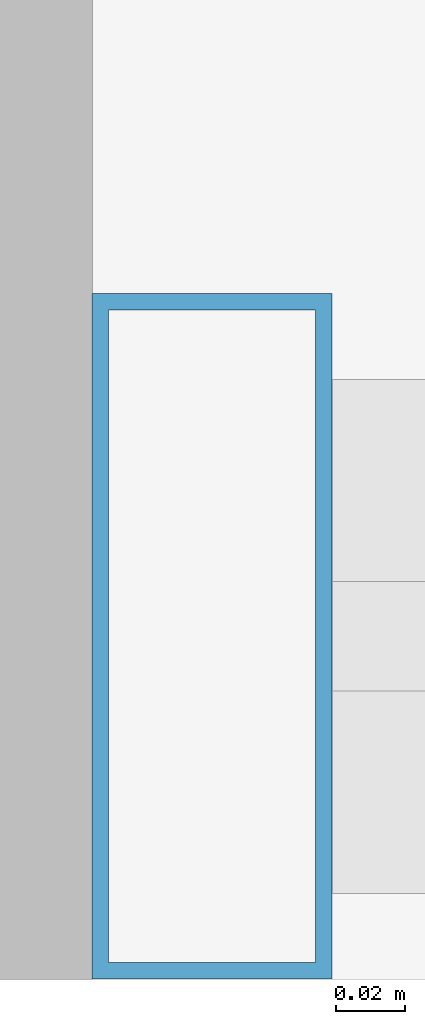
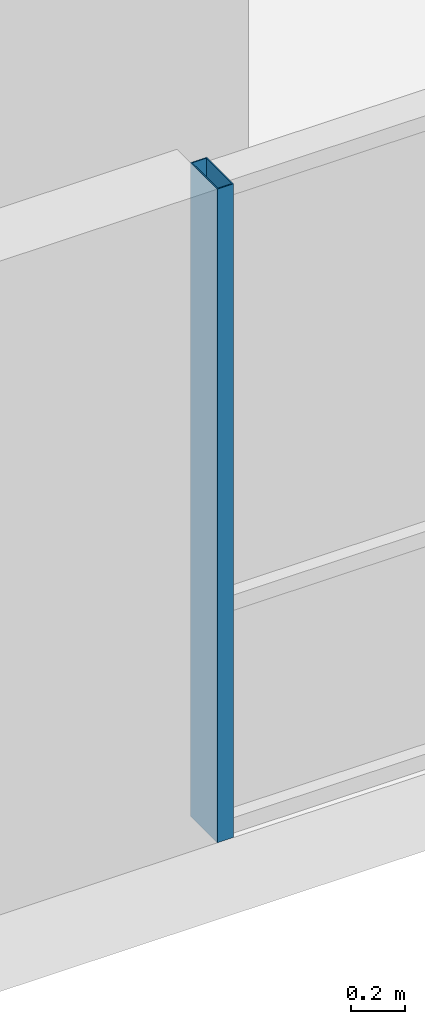
# One storey, part 2 of 28: 1 member, 1 element without a shape of its own.
"""IFC4 building model written with IfcOpenShell, lengths in metres."""

import ifcopenshell
import ifcopenshell.guid

model = None  # the IFC model being written
_history = None  # IfcOwnerHistory: only IFC2X3 demands one
_inside = {}  # id of a spatial element -> (the spatial element, [elements in it])
_under = {}  # id of a project, library or spatial element -> (it, [spatial elements below it])
_declared = {}  # id of a project -> (the project, [libraries it declares])
_typed = {}  # id of a type object -> (the type object, [elements of that type])
_made_of = {}  # id of a material, layer set ... -> (it, [elements and type objects made of it])


def new_model(schema):
    """Start an empty IFC model of exactly this schema.

    Asked for "IFC4X3", IfcOpenShell would pick the latest addendum, in which some entities
    have other attributes; the version numbers below select the first issue.
    IFC2X3 requires an IfcOwnerHistory on every rooted entity: one is made here for all.
    """
    global model, _history
    if schema == "IFC4X3":
        model = ifcopenshell.file(schema_version=(4, 3, 0, 0))
    else:
        model = ifcopenshell.file(schema=schema)
    _inside.clear()
    _under.clear()
    _declared.clear()
    _typed.clear()
    _made_of.clear()
    _history = None
    if model.schema == "IFC2X3":
        org = make("IfcOrganization", Name="unknown")
        user = make(
            "IfcPersonAndOrganization",
            ThePerson=make("IfcPerson", FamilyName="unknown"),
            TheOrganization=org,
        )
        app = make(
            "IfcApplication",
            ApplicationDeveloper=org,
            Version="unknown",
            ApplicationFullName="unknown",
            ApplicationIdentifier="unknown",
        )
        _history = make(
            "IfcOwnerHistory",
            OwningUser=user,
            OwningApplication=app,
            ChangeAction="ADDED",
            CreationDate=0,
        )
    return model


def make(cls, **values):
    """One entity of the class cls with the attributes given. An attribute that is None is left unset."""
    return model.create_entity(
        cls, **{name: value for name, value in values.items() if value is not None}
    )


def rooted(cls, **values):
    """An entity with a GlobalId (a new one), such as an element, a storey or a relation."""
    return make(cls, GlobalId=ifcopenshell.guid.new(), OwnerHistory=_history, **values)


def si_unit(unit_type, name, prefix=None):
    """IfcSIUnit, for example si_unit("LENGTHUNIT", "METRE", prefix="MILLI")."""
    return make("IfcSIUnit", UnitType=unit_type, Prefix=prefix, Name=name)


def assignment(units):
    """IfcUnitAssignment: the units of a project."""
    return None if units is None else make("IfcUnitAssignment", Units=units)


def point(xyz):
    """IfcCartesianPoint."""
    return None if xyz is None else make("IfcCartesianPoint", Coordinates=xyz)


def direction(xyz):
    """IfcDirection."""
    return None if xyz is None else make("IfcDirection", DirectionRatios=xyz)


def frame(location, z_axis=None, x_axis=None):
    """IfcAxis2Placement3D, a coordinate frame: its origin and axes. An axis left out is left unset."""
    return make(
        "IfcAxis2Placement3D",
        Location=point(location),
        Axis=direction(z_axis),
        RefDirection=direction(x_axis),
    )


def frame_2d(location, x_axis=None):
    """IfcAxis2Placement2D, a coordinate frame in the plane: its origin and x axis."""
    return make(
        "IfcAxis2Placement2D", Location=point(location), RefDirection=direction(x_axis)
    )


def origin():
    """The frame at (0, 0, 0) with its axes left unset."""
    return frame((0.0, 0.0, 0.0))


def origin_2d():
    """The frame at (0, 0) in the plane with its x axis left unset."""
    return frame_2d((0.0, 0.0))


def place(relative_to, where):
    """IfcLocalPlacement: puts the frame where relative to a parent placement (None: the world)."""
    return make(
        "IfcLocalPlacement", PlacementRelTo=relative_to, RelativePlacement=where
    )


def context(
    kind, dimensions, precision=None, world=None, true_north=None, identifier=None
):
    """IfcGeometricRepresentationContext, for example the 3D "Model" context."""
    return make(
        "IfcGeometricRepresentationContext",
        ContextIdentifier=identifier,
        ContextType=kind,
        CoordinateSpaceDimension=dimensions,
        Precision=precision,
        WorldCoordinateSystem=world,
        TrueNorth=true_north,
    )


def subcontext(parent, identifier, kind, view, scale=None):
    """IfcGeometricRepresentationSubContext, for example "Body" below "Model"."""
    return make(
        "IfcGeometricRepresentationSubContext",
        ContextIdentifier=identifier,
        ContextType=kind,
        ParentContext=parent,
        TargetScale=scale,
        TargetView=view,
    )


def project(units=None, contexts=None):
    """IfcProject with its units and contexts."""
    return rooted(
        "IfcProject",
        Name="project",
        RepresentationContexts=contexts,
        UnitsInContext=assignment(units),
    )


def spatial(cls, under=None, at=None, **own):
    """A site, building, storey or space (cls), placed at a placement, below another one or the project."""
    s = rooted(cls, ObjectPlacement=at, **own)
    if under is not None:
        _under.setdefault(under.id(), (under, []))[1].append(s)
    return s


def profile(cls, at=None, kind="AREA", **sizes):
    """A parametric profile (cls). Its sizes go by their IFC names, for example OverallWidth=200.0."""
    return make(cls, ProfileType=kind, Position=at, **sizes)


def hollow_rectangle(**sizes):
    """IfcRectangleHollowProfileDef."""
    return profile("IfcRectangleHollowProfileDef", **sizes)


def extrude(swept, where, along, depth):
    """IfcExtrudedAreaSolid: the profile swept, set in the frame where, extruded along a direction by depth."""
    return make(
        "IfcExtrudedAreaSolid",
        SweptArea=swept,
        Position=where,
        ExtrudedDirection=direction(along),
        Depth=depth,
    )


def shape(context_of_items, identifier, shape_type, items):
    """IfcShapeRepresentation: the items that make up one representation, for example the "Body"."""
    return make(
        "IfcShapeRepresentation",
        ContextOfItems=context_of_items,
        RepresentationIdentifier=identifier,
        RepresentationType=shape_type,
        Items=items,
    )


def source(mapping_origin, context_of_items, identifier, shape_type, items):
    """IfcRepresentationMap: a shape defined once, which mapped items show again and again."""
    return make(
        "IfcRepresentationMap",
        MappingOrigin=mapping_origin,
        MappedRepresentation=shape(context_of_items, identifier, shape_type, items),
    )


def transform(
    local_origin,
    x_axis=None,
    y_axis=None,
    z_axis=None,
    scale=None,
    scale2=None,
    scale3=None,
    uniform=True,
):
    """IfcCartesianTransformationOperator3D, or its non-uniform kind. x_axis, y_axis, z_axis: its Axis1, 2, 3."""
    if uniform:
        return make(
            "IfcCartesianTransformationOperator3D",
            Axis1=direction(x_axis),
            Axis2=direction(y_axis),
            LocalOrigin=point(local_origin),
            Scale=scale,
            Axis3=direction(z_axis),
        )
    return make(
        "IfcCartesianTransformationOperator3DnonUniform",
        Axis1=direction(x_axis),
        Axis2=direction(y_axis),
        LocalOrigin=point(local_origin),
        Scale=scale,
        Axis3=direction(z_axis),
        Scale2=scale2,
        Scale3=scale3,
    )


def mapped(mapping_source, mapping_target):
    """IfcMappedItem: shows the shape of a source again, moved by a transform."""
    return make(
        "IfcMappedItem", MappingSource=mapping_source, MappingTarget=mapping_target
    )


def material(Name=None, Category=None):
    """IfcMaterial."""
    return make("IfcMaterial", Name=Name, Category=Category)


def layer(
    of_material, thickness, ventilated=None, Name=None, Category=None, Priority=None
):
    """IfcMaterialLayer: one layer of a wall or slab, of a material (None: an air gap)."""
    return make(
        "IfcMaterialLayer",
        Material=of_material,
        LayerThickness=thickness,
        IsVentilated=ventilated,
        Name=Name,
        Category=Category,
        Priority=Priority,
    )


def layer_set(layers, Name=None):
    """IfcMaterialLayerSet."""
    return make("IfcMaterialLayerSet", MaterialLayers=layers, LayerSetName=Name)


def material_profile(
    of_material, cross_section, Name=None, Category=None, Priority=None
):
    """IfcMaterialProfile: a cross section and its material."""
    return make(
        "IfcMaterialProfile",
        Name=Name,
        Material=of_material,
        Profile=cross_section,
        Priority=Priority,
        Category=Category,
    )


def profile_set(profiles, Name=None, composite=None):
    """IfcMaterialProfileSet."""
    return make(
        "IfcMaterialProfileSet",
        Name=Name,
        MaterialProfiles=profiles,
        CompositeProfile=composite,
    )


def made_of(thing, what):
    """Note that an element or type object is made of a material, layer set ...; save() writes the relation."""
    if what is not None:
        _made_of.setdefault(what.id(), (what, []))[1].append(thing)
    return thing


def type_object(cls, material=None, **own):
    """A type object (cls), such as IfcWallType, which elements share."""
    return made_of(rooted(cls, **own), material)


def element(
    cls,
    number,
    at=None,
    inside=None,
    cuts=None,
    type_object=None,
    material=None,
    context=None,
    identifier="Body",
    shape_type=None,
    held_by="IfcProductDefinitionShape",
    body=None,
    shapes=None,
    **own,
):
    """One element of the class cls, such as IfcWall. Its Tag is "e" and its number.

    at: its placement. inside: the storey or other place that contains it. cuts: it is an
    opening in that element (IfcRelVoidsElement). A single representation is given by context,
    identifier, shape_type and body (its items); several are given by shapes. held_by: the class
    of the entity that holds the representations. save() writes the other relations.
    """
    e = rooted(cls, Tag="e%d" % number, ObjectPlacement=at, **own)
    if body is not None:
        shapes = [shape(context, identifier, shape_type, body)]
    if shapes is not None:
        e.Representation = make(held_by, Representations=shapes)
    if inside is not None:
        _inside.setdefault(inside.id(), (inside, []))[1].append(e)
    if cuts is not None:
        rooted(
            "IfcRelVoidsElement", RelatingBuildingElement=cuts, RelatedOpeningElement=e
        )
    if type_object is not None:
        _typed.setdefault(type_object.id(), (type_object, []))[1].append(e)
    return made_of(e, material)


def aggregate(whole, parts):
    """IfcRelAggregates: a whole, such as a stair, and the parts it consists of."""
    return rooted("IfcRelAggregates", RelatingObject=whole, RelatedObjects=parts)


def save(model, path):
    """Write the relations noted so far, then the file.

    IfcRelAggregates (storeys below a building ...), IfcRelContainedInSpatialStructure (elements
    in a storey), IfcRelDefinesByType, IfcRelAssociatesMaterial and IfcRelDeclares: one each for
    every whole, place, type object, material and project.
    """
    for whole, parts in _under.values():
        aggregate(whole, parts)
    for where, things in _inside.values():
        rooted(
            "IfcRelContainedInSpatialStructure",
            RelatedElements=things,
            RelatingStructure=where,
        )
    for kind, things in _typed.values():
        rooted("IfcRelDefinesByType", RelatedObjects=things, RelatingType=kind)
    for what, things in _made_of.values():
        rooted("IfcRelAssociatesMaterial", RelatedObjects=things, RelatingMaterial=what)
    for by, libraries in _declared.values():
        rooted("IfcRelDeclares", RelatingContext=by, RelatedDefinitions=libraries)
    model.write(path)


model = new_model("IFC4")

# Units and contexts
model_context = context("Model", 3, precision=1e-05, world=origin(), true_north=direction((0.0, 1.0)))
body_context = subcontext(model_context, "Body", "Model", "MODEL_VIEW")
ifc_project = project(units=[si_unit("LENGTHUNIT", "METRE"), si_unit("AREAUNIT", "SQUARE_METRE"), si_unit("VOLUMEUNIT", "CUBIC_METRE"), si_unit("PLANEANGLEUNIT", "RADIAN"), si_unit("MASSUNIT", "GRAM", prefix="KILO")], contexts=[model_context])

# Site, building, storey
site_placement = place(None, origin())
site = spatial("IfcSite", under=ifc_project, at=site_placement, CompositionType="ELEMENT")
building_placement = place(site_placement, origin())
building = spatial("IfcBuilding", under=site, at=building_placement, Name="Saelheon Loggia Tower", CompositionType="ELEMENT")
storey_placement = place(building_placement, frame((0.0, 0.0, 15.0)))
storey = spatial("IfcBuildingStorey", under=building, at=storey_placement, Name="L04", CompositionType="ELEMENT", Elevation=15.0)

# Curtain wall, member
ifc_material_1 = material(Name="Aluminium 6063-T6 and Low-E IGU", Category="aluminium")
ifc_layer = layer(ifc_material_1, 0.179931640625)
ifc_layer_set = layer_set([ifc_layer], Name="Aluminium 6063-T6 and Low-E IGU")
curtain_wall_type = type_object("IfcCurtainWallType", Name="CW_PodiumClinic", PredefinedType="NOTDEFINED", material=ifc_layer_set)
curtain_wall_placement = place(storey_placement, origin())
curtain_wall = element("IfcCurtainWall", 1, at=curtain_wall_placement, inside=storey, type_object=curtain_wall_type, Name="L04 South Clinic Curtain Wall 1", PredefinedType="NOTDEFINED")
ifc_material_2 = material(Name="Anodised Aluminium 6063-T6", Category="aluminium")
ifc_material_profile = material_profile(ifc_material_2, hollow_rectangle(XDim=0.070068359375, YDim=0.199951171875, WallThickness=0.0048828125, at=origin_2d()), Name="RHS-200x70x5")
ifc_profile_set = profile_set([ifc_material_profile], Name="Anodised Aluminium 6063-T6")
member_type = type_object("IfcMemberType", Name="CW_PodiumClinic_Mullion", PredefinedType="MULLION", material=ifc_profile_set)
shared_shape = source(origin(), body_context, "Body", "SweptSolid", [
    extrude(hollow_rectangle(XDim=0.070068359375, YDim=0.199951171875, WallThickness=0.0048828125, at=origin_2d()), origin(), (0.0, 0.0, 1.0), 2.97998046875),
])
member_placement = place(storey_placement, frame((16.034912109375, 0.10009765625, 0.0), z_axis=(0.0, 0.0, 1.0), x_axis=(1.0, 0.0, 0.0)))
member = element("IfcMember", 2, at=member_placement, type_object=member_type, Name="CW1 mullion 1", PredefinedType="MULLION", context=body_context, shape_type="MappedRepresentation", body=[
    mapped(shared_shape, transform((0.0, 0.0, 0.0), scale=1.0)),
])
aggregate(curtain_wall, [member])

save(model, "model.ifc")
